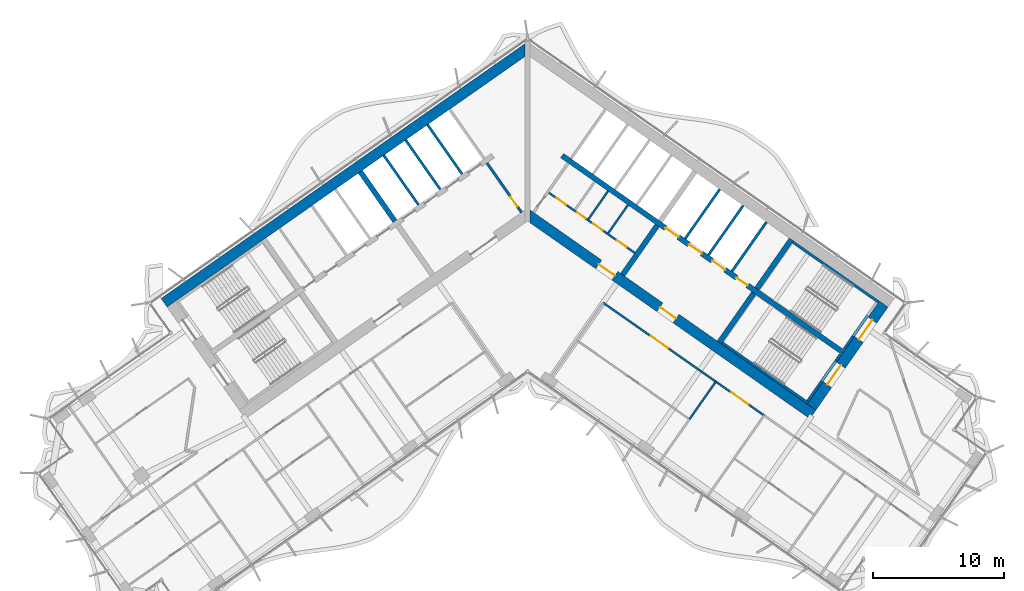
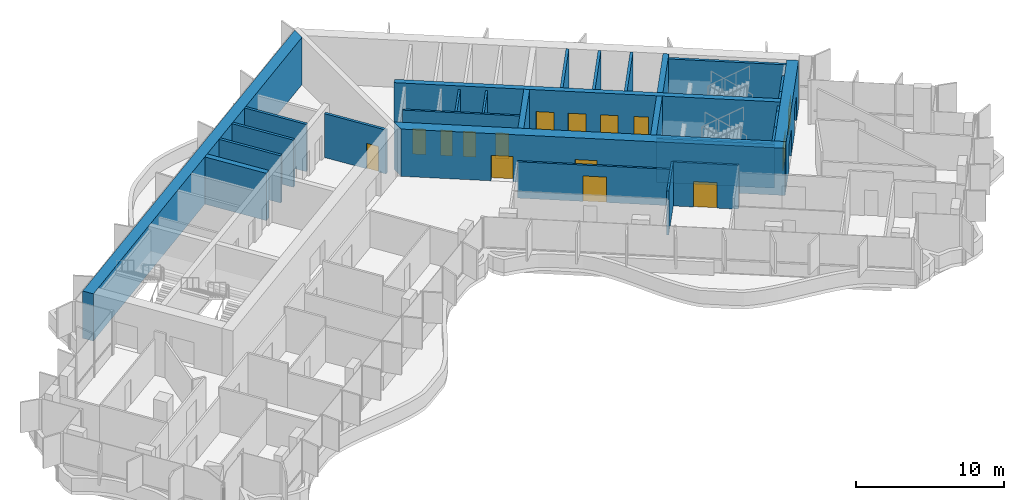
# One storey, part 16 of 23: 28 walls, 15 doors, 15 openings.
"""IFC4 building model written with IfcOpenShell, lengths in metres."""

from ifc_helpers import new_model, si_unit, direction, frame, frame_2d, origin, place, context, subcontext, project, spatial, polyline, rectangle, outline, extrude, material, layer, layer_set, type_object, element, fill, save


model = new_model("IFC4")

# Units and contexts
model_context = context("Model", 3, precision=1e-05, world=origin(), true_north=direction((0.0, 1.0)))
body_context = subcontext(model_context, "Body", "Model", "MODEL_VIEW")
ifc_project = project(units=[si_unit("LENGTHUNIT", "METRE"), si_unit("AREAUNIT", "SQUARE_METRE"), si_unit("VOLUMEUNIT", "CUBIC_METRE"), si_unit("PLANEANGLEUNIT", "RADIAN"), si_unit("MASSUNIT", "GRAM", prefix="KILO")], contexts=[model_context])

# Site, building, storey
site_placement = place(None, origin())
site = spatial("IfcSite", under=ifc_project, at=site_placement, CompositionType="ELEMENT")
building_placement = place(site_placement, origin())
building = spatial("IfcBuilding", under=site, at=building_placement, Name="Tel Ilan Convention Tower", CompositionType="ELEMENT")
storey_placement = place(building_placement, frame((0.0, 0.0, 194.39990234375)))
storey = spatial("IfcBuildingStorey", under=building, at=storey_placement, Name="L45", CompositionType="ELEMENT", Elevation=194.39990234375)

# Wall, openings, doors
ifc_material_1 = material(Name="Gypsum Plasterboard on Steel Stud", Category="steel")
ifc_layer_1 = layer(ifc_material_1, 0.14990234375)
ifc_layer_set_1 = layer_set([ifc_layer_1], Name="Core Room Partition Wall 150 mm EI 60")
wall_type_1 = type_object("IfcWallType", Name="Core Room Partition Wall 150 mm EI 60", PredefinedType="PARTITIONING", material=ifc_layer_set_1)
wall_1_placement = place(storey_placement, frame((1.63037109375, 0.93359375, 0.0), z_axis=(0.0, 0.0, 1.0), x_axis=(0.819165963305, -0.573556557423, 0.0)))
wall_1 = element("IfcWall", 1, at=wall_1_placement, inside=storey, type_object=wall_type_1, Name="L45 core wall wc-h1", PredefinedType="PARTITIONING", context=body_context, shape_type="SweptSolid", body=[
    extrude(rectangle(XDim=7.999755859375, YDim=0.14990234375, at=frame_2d((4.0, 0.0))), origin(), (0.0, 0.0, 1.0), 3.6201171875),
])
opening_1_placement = place(wall_1_placement, frame((0.699951171875, 0.0, 0.0)))
opening_1 = element("IfcOpeningElement", 2, at=opening_1_placement, cuts=wall_1, Name="Opening CD3512", PredefinedType="OPENING", context=body_context, shape_type="SweptSolid", body=[
    extrude(rectangle(XDim=0.89990234375, YDim=2.10009765625, at=frame_2d((0.449951171875, 1.050048828125))), frame((0.0, 0.0849609375, 0.0), z_axis=(0.0, -1.0, 0.0), x_axis=(1.0, 0.0, 0.0)), (0.0, 0.0, 1.0), 0.169921875),
])
opening_2_placement = place(wall_1_placement, frame((2.60009765625, 0.0, 0.0)))
opening_2 = element("IfcOpeningElement", 3, at=opening_2_placement, cuts=wall_1, Name="Opening CD3511", PredefinedType="OPENING", context=body_context, shape_type="SweptSolid", body=[
    extrude(rectangle(XDim=0.800048828125, YDim=2.10009765625, at=frame_2d((0.39990234375, 1.050048828125))), frame((0.0, 0.0849609375, 0.0), z_axis=(0.0, -1.0, 0.0), x_axis=(1.0, 0.0, 0.0)), (0.0, 0.0, 1.0), 0.169921875),
])
opening_3_placement = place(wall_1_placement, frame((4.10009765625, 0.0, 0.0)))
opening_3 = element("IfcOpeningElement", 4, at=opening_3_placement, cuts=wall_1, Name="Opening CD3510", PredefinedType="OPENING", context=body_context, shape_type="SweptSolid", body=[
    extrude(rectangle(XDim=0.89990234375, YDim=2.10009765625, at=frame_2d((0.449951171875, 1.050048828125))), frame((0.0, 0.0849609375, 0.0), z_axis=(0.0, -1.0, 0.0), x_axis=(1.0, 0.0, 0.0)), (0.0, 0.0, 1.0), 0.169921875),
])
opening_4_placement = place(wall_1_placement, frame((6.324951171875, 0.0, 0.0)))
opening_4 = element("IfcOpeningElement", 5, at=opening_4_placement, cuts=wall_1, Name="Opening CD3513", PredefinedType="OPENING", context=body_context, shape_type="SweptSolid", body=[
    extrude(rectangle(XDim=0.89990234375, YDim=2.10009765625, at=frame_2d((0.449951171875, 1.050048828125))), frame((0.0, 0.0849609375, 0.0), z_axis=(0.0, -1.0, 0.0), x_axis=(1.0, 0.0, 0.0)), (0.0, 0.0, 1.0), 0.169921875),
])
ifc_material_2 = material(Name="Galvanised Steel Door Leaf", Category="steel")
door_type_1 = type_object("IfcDoorType", Name="Store Door 800 x 2100 FD60", OperationType="NOTDEFINED", PredefinedType="DOOR", material=ifc_material_2)
door_1_placement = place(opening_2_placement, origin())
door_1 = element("IfcDoor", 6, at=door_1_placement, inside=storey, type_object=door_type_1, Name="Cleaner's store door", OperationType="SINGLE_SWING_RIGHT", OverallHeight=2.10009765625, OverallWidth=0.800048828125, PredefinedType="DOOR", context=body_context, shape_type="SweptSolid", body=[
    extrude(rectangle(XDim=0.800048828125, YDim=2.10009765625, at=frame_2d((0.39990234375, 1.050048828125))), frame((0.0, 0.02490234375, 0.0), z_axis=(0.0, -1.0, 0.0), x_axis=(1.0, 0.0, 0.0)), (0.0, 0.0, 1.0), 0.050048828125),
])
fill(opening_2, door_1)
ifc_material_3 = material(Name="Laminated Timber Door Leaf", Category="wood")
door_type_2 = type_object("IfcDoorType", Name="Toilet Door 900 x 2100 FD30S", OperationType="NOTDEFINED", PredefinedType="DOOR", material=ifc_material_3)
door_2_placement = place(opening_1_placement, origin())
door_2 = element("IfcDoor", 7, at=door_2_placement, inside=storey, type_object=door_type_2, Name="Men's WC door", OperationType="SINGLE_SWING_RIGHT", OverallHeight=2.10009765625, OverallWidth=0.89990234375, PredefinedType="DOOR", context=body_context, shape_type="SweptSolid", body=[
    extrude(rectangle(XDim=0.89990234375, YDim=2.10009765625, at=frame_2d((0.449951171875, 1.050048828125))), frame((0.0, 0.02490234375, 0.0), z_axis=(0.0, -1.0, 0.0), x_axis=(1.0, 0.0, 0.0)), (0.0, 0.0, 1.0), 0.050048828125),
])
fill(opening_1, door_2)
door_3_placement = place(opening_3_placement, origin())
door_3 = element("IfcDoor", 8, at=door_3_placement, inside=storey, type_object=door_type_2, Name="Accessible WC door", OperationType="SINGLE_SWING_RIGHT", OverallHeight=2.10009765625, OverallWidth=0.89990234375, PredefinedType="DOOR", context=body_context, shape_type="SweptSolid", body=[
    extrude(rectangle(XDim=0.89990234375, YDim=2.10009765625, at=frame_2d((0.449951171875, 1.050048828125))), frame((0.0, 0.02490234375, 0.0), z_axis=(0.0, -1.0, 0.0), x_axis=(1.0, 0.0, 0.0)), (0.0, 0.0, 1.0), 0.050048828125),
])
fill(opening_3, door_3)
door_4_placement = place(opening_4_placement, origin())
door_4 = element("IfcDoor", 9, at=door_4_placement, inside=storey, type_object=door_type_2, Name="Women's WC door", OperationType="SINGLE_SWING_RIGHT", OverallHeight=2.10009765625, OverallWidth=0.89990234375, PredefinedType="DOOR", context=body_context, shape_type="SweptSolid", body=[
    extrude(rectangle(XDim=0.89990234375, YDim=2.10009765625, at=frame_2d((0.449951171875, 1.050048828125))), frame((0.0, 0.02490234375, 0.0), z_axis=(0.0, -1.0, 0.0), x_axis=(1.0, 0.0, 0.0)), (0.0, 0.0, 1.0), 0.050048828125),
])
fill(opening_4, door_4)

# Walls
for number, where, z_axis, x_axis, name in (
    (10, (4.642822265625, -1.083984375, 0.0), (0.0, 0.0, 1.0), (0.573593425114, 0.819140148367, 0.0), "L45 core wall wc-v1"),
    (11, (6.158203125, -2.145263671875, 0.0), (0.0, 0.0, 1.0), (0.573549726504, 0.819170746076, 0.0), "L45 core wall wc-v2"),
):
    element("IfcWall", number, at=place(storey_placement, frame(where, z_axis=z_axis, x_axis=x_axis)), inside=storey, type_object=wall_type_1, Name=name, PredefinedType="PARTITIONING", context=body_context, shape_type="SweptSolid", body=[
        extrude(rectangle(XDim=2.625, YDim=0.14990234375, at=frame_2d((1.3125, 0.0))), origin(), (0.0, 0.0, 1.0), 3.6201171875),
    ])

# Wall, opening, door
ifc_material_4 = material(Name="Concrete C30/37", Category="concrete")
ifc_layer_2 = layer(ifc_material_4, 0.199951171875)
ifc_layer_set_2 = layer_set([ifc_layer_2], Name="Core Service Room Wall 200 mm C30/37")
wall_type_2 = type_object("IfcWallType", Name="Core Service Room Wall 200 mm C30/37", PredefinedType="SOLIDWALL", material=ifc_layer_set_2)
wall_2_placement = place(storey_placement, frame((-0.458740234375, -0.565185546875, 0.0), z_axis=(0.0, 0.0, 1.0), x_axis=(-0.573576324356, 0.819152122709, 0.0)))
wall_2 = element("IfcWall", 12, at=wall_2_placement, inside=storey, type_object=wall_type_2, Name="L45 core wall apex-W", PredefinedType="SOLIDWALL", context=body_context, shape_type="SweptSolid", body=[
    extrude(rectangle(XDim=4.599853515625, YDim=0.199951171875, at=frame_2d((2.2998046875, 0.0))), origin(), (0.0, 0.0, 1.0), 3.6201171875),
])
opening_5_placement = place(wall_2_placement, frame((0.550048828125, 0.0, 0.0)))
opening_5 = element("IfcOpeningElement", 13, at=opening_5_placement, cuts=wall_2, Name="Opening CD3502", PredefinedType="OPENING", context=body_context, shape_type="SweptSolid", body=[
    extrude(rectangle(XDim=0.89990234375, YDim=2.10009765625, at=frame_2d((0.449951171875, 1.050048828125))), frame((0.0, 0.10986328125, 0.0), z_axis=(0.0, -1.0, 0.0), x_axis=(1.0, 0.0, 0.0)), (0.0, 0.0, 1.0), 0.219970703125),
])
ifc_material_5 = material(Name="Galvanised Steel Door Leaf", Category="steel")
door_type_3 = type_object("IfcDoorType", Name="Service Room Door 900 x 2100 FD60", OperationType="NOTDEFINED", PredefinedType="DOOR", material=ifc_material_5)
door_5_placement = place(opening_5_placement, origin())
door_5 = element("IfcDoor", 14, at=door_5_placement, inside=storey, type_object=door_type_3, Name="Riser Room door", OperationType="SINGLE_SWING_RIGHT", OverallHeight=2.10009765625, OverallWidth=0.89990234375, PredefinedType="DOOR", context=body_context, shape_type="SweptSolid", body=[
    extrude(rectangle(XDim=0.89990234375, YDim=2.10009765625, at=frame_2d((0.449951171875, 1.050048828125))), frame((0.0, 0.02490234375, 0.0), z_axis=(0.0, -1.0, 0.0), x_axis=(1.0, 0.0, 0.0)), (0.0, 0.0, 1.0), 0.050048828125),
])
fill(opening_5, door_5)

# Walls
ifc_material_6 = material(Name="Concrete C50/60", Category="concrete")
ifc_layer_3 = layer(ifc_material_6, 0.39990234375)
ifc_layer_set_3 = layer_set([ifc_layer_3], Name="Core Shear Wall 400 mm C50/60")
wall_type_3 = type_object("IfcWallType", Name="Core Shear Wall 400 mm C50/60", PredefinedType="SHEAR", material=ifc_layer_set_3)
wall_3_placement = place(storey_placement, frame((-10.12548828125, -1.230224609375, 0.0), z_axis=(0.0, 0.0, 1.0), x_axis=(-0.573576324356, 0.819152122709, 0.0)))
element("IfcWall", 15, at=wall_3_placement, inside=storey, type_object=wall_type_3, Name="L45 core wall W-cross1-2", PredefinedType="SHEAR", context=body_context, shape_type="SweptSolid", body=[
    extrude(outline(polyline([(4.60009765625, -0.199951171875), (4.599853515625, 0.199951171875), (0.0, 0.2001953125), (0.0, -0.199951171875), (4.60009765625, -0.199951171875)])), origin(), (0.0, 0.0, 1.0), 3.900146484375),
])
wall_4_placement = place(storey_placement, frame((7.2578125, -5.325927734375, 0.0), z_axis=(0.0, 0.0, 1.0), x_axis=(0.573540709186, 0.819177059558, 0.0)))
element("IfcWall", 16, at=wall_4_placement, inside=storey, type_object=wall_type_3, Name="L45 core wall E-cross1-1", PredefinedType="SHEAR", context=body_context, shape_type="SweptSolid", body=[
    extrude(outline(polyline([(-0.000244140625, 0.2001953125), (-0.000244140625, -0.199951171875), (4.599853515625, -0.2001953125), (4.599853515625, 0.199951171875), (-0.000244140625, 0.2001953125)])), origin(), (0.0, 0.0, 1.0), 3.900146484375),
])
wall_5_placement = place(storey_placement, frame((14.6298828125, -10.48828125, 0.0), z_axis=(0.0, 0.0, 1.0), x_axis=(0.573611936273, 0.819127185829, 0.0)))
element("IfcWall", 17, at=wall_5_placement, inside=storey, type_object=wall_type_3, Name="L45 core wall E-cross2-1", PredefinedType="SHEAR", context=body_context, shape_type="SweptSolid", body=[
    extrude(outline(polyline([(0.000244140625, 0.199951171875), (0.000244140625, -0.2001953125), (4.60009765625, -0.199951171875), (4.60009765625, 0.2001953125), (0.000244140625, 0.199951171875)])), origin(), (0.0, 0.0, 1.0), 3.900146484375),
])
wall_6_placement = place(storey_placement, frame((17.497802734375, -6.392333984375, 0.0), z_axis=(0.0, 0.0, 1.0), x_axis=(0.573611936273, 0.819127185829, 0.0)))
element("IfcWall", 18, at=wall_6_placement, inside=storey, type_object=wall_type_3, Name="L45 core wall E-cross2-2", PredefinedType="SHEAR", context=body_context, shape_type="SweptSolid", body=[
    extrude(outline(polyline([(4.599853515625, -0.199951171875), (4.599853515625, 0.2001953125), (0.0, 0.199951171875), (0.0, -0.2001953125), (4.599853515625, -0.199951171875)])), origin(), (0.0, 0.0, 1.0), 3.900146484375),
])

# Wall, openings, doors
wall_7_placement = place(storey_placement, frame((2.638427734375, 3.76806640625, 0.0), z_axis=(0.0, 0.0, 1.0), x_axis=(0.81915267502, -0.573575535572, 0.0)))
wall_7 = element("IfcWall", 19, at=wall_7_placement, inside=storey, type_object=wall_type_3, Name="L45 core wall E-spine", PredefinedType="SHEAR", context=body_context, shape_type="SweptSolid", body=[
    extrude(outline(polyline([(0.0, 0.199951171875), (0.0, -0.199951171875), (26.199951171875, -0.199951171875), (26.199951171875, 0.199951171875), (0.0, 0.199951171875)])), origin(), (0.0, 0.0, 1.0), 3.900146484375),
])
opening_6_placement = place(wall_7_placement, frame((9.637451171875, 0.0, 0.0)))
opening_6 = element("IfcOpeningElement", 20, at=opening_6_placement, cuts=wall_7, Name="Opening LD3501", PredefinedType="OPENING", context=body_context, shape_type="SweptSolid", body=[
    extrude(rectangle(XDim=1.199951171875, YDim=2.10009765625, at=frame_2d((0.60009765625, 1.050048828125))), frame((0.0, 0.2099609375, 0.0), z_axis=(0.0, -1.0, 0.0), x_axis=(1.0, 0.0, 0.0)), (0.0, 0.0, 1.0), 0.419921875),
])
opening_7_placement = place(wall_7_placement, frame((11.8125, 0.0, 0.0)))
opening_7 = element("IfcOpeningElement", 21, at=opening_7_placement, cuts=wall_7, Name="Opening LD3502", PredefinedType="OPENING", context=body_context, shape_type="SweptSolid", body=[
    extrude(rectangle(XDim=1.199951171875, YDim=2.10009765625, at=frame_2d((0.60009765625, 1.050048828125))), frame((0.0, 0.2099609375, 0.0), z_axis=(0.0, -1.0, 0.0), x_axis=(1.0, 0.0, 0.0)), (0.0, 0.0, 1.0), 0.419921875),
])
opening_8_placement = place(wall_7_placement, frame((13.987548828125, 0.0, 0.0)))
opening_8 = element("IfcOpeningElement", 22, at=opening_8_placement, cuts=wall_7, Name="Opening LD3503", PredefinedType="OPENING", context=body_context, shape_type="SweptSolid", body=[
    extrude(rectangle(XDim=1.199951171875, YDim=2.10009765625, at=frame_2d((0.60009765625, 1.050048828125))), frame((0.0, 0.2099609375, 0.0), z_axis=(0.0, -1.0, 0.0), x_axis=(1.0, 0.0, 0.0)), (0.0, 0.0, 1.0), 0.419921875),
])
opening_9_placement = place(wall_7_placement, frame((16.262451171875, 0.0, 0.0)))
opening_9 = element("IfcOpeningElement", 23, at=opening_9_placement, cuts=wall_7, Name="Opening CD3507", PredefinedType="OPENING", context=body_context, shape_type="SweptSolid", body=[
    extrude(rectangle(XDim=1.0, YDim=2.10009765625, at=frame_2d((0.5, 1.050048828125))), frame((0.0, 0.2099609375, 0.0), z_axis=(0.0, -1.0, 0.0), x_axis=(1.0, 0.0, 0.0)), (0.0, 0.0, 1.0), 0.419921875),
])
ifc_material_7 = material(Name="Stainless Steel Sliding Door Leaf", Category="steel")
door_type_4 = type_object("IfcDoorType", Name="Lift Landing Door 1200 x 2100 FD120", OperationType="NOTDEFINED", PredefinedType="DOOR", material=ifc_material_7)
door_6_placement = place(opening_6_placement, origin())
door_6 = element("IfcDoor", 24, at=door_6_placement, inside=storey, type_object=door_type_4, Name="Lift FL1 landing door", OperationType="SLIDING_TO_LEFT", OverallHeight=2.10009765625, OverallWidth=1.199951171875, PredefinedType="DOOR", context=body_context, shape_type="SweptSolid", body=[
    extrude(rectangle(XDim=1.199951171875, YDim=2.10009765625, at=frame_2d((0.60009765625, 1.050048828125))), frame((0.0, 0.02490234375, 0.0), z_axis=(0.0, -1.0, 0.0), x_axis=(1.0, 0.0, 0.0)), (0.0, 0.0, 1.0), 0.050048828125),
])
fill(opening_6, door_6)
door_7_placement = place(opening_7_placement, origin())
door_7 = element("IfcDoor", 25, at=door_7_placement, inside=storey, type_object=door_type_4, Name="Lift FL2 landing door", OperationType="SLIDING_TO_RIGHT", OverallHeight=2.10009765625, OverallWidth=1.199951171875, PredefinedType="DOOR", context=body_context, shape_type="SweptSolid", body=[
    extrude(rectangle(XDim=1.199951171875, YDim=2.10009765625, at=frame_2d((0.60009765625, 1.050048828125))), frame((0.0, 0.02490234375, 0.0), z_axis=(0.0, -1.0, 0.0), x_axis=(1.0, 0.0, 0.0)), (0.0, 0.0, 1.0), 0.050048828125),
])
fill(opening_7, door_7)
door_8_placement = place(opening_8_placement, origin())
door_8 = element("IfcDoor", 26, at=door_8_placement, inside=storey, type_object=door_type_4, Name="Lift FL3 landing door", OperationType="SLIDING_TO_LEFT", OverallHeight=2.10009765625, OverallWidth=1.199951171875, PredefinedType="DOOR", context=body_context, shape_type="SweptSolid", body=[
    extrude(rectangle(XDim=1.199951171875, YDim=2.10009765625, at=frame_2d((0.60009765625, 1.050048828125))), frame((0.0, 0.02490234375, 0.0), z_axis=(0.0, -1.0, 0.0), x_axis=(1.0, 0.0, 0.0)), (0.0, 0.0, 1.0), 0.050048828125),
])
fill(opening_8, door_8)
ifc_material_8 = material(Name="Galvanised Steel Door Leaf", Category="steel")
door_type_5 = type_object("IfcDoorType", Name="Service Room Door 1000 x 2100 FD60", OperationType="NOTDEFINED", PredefinedType="DOOR", material=ifc_material_8)
door_9_placement = place(opening_9_placement, origin())
door_9 = element("IfcDoor", 27, at=door_9_placement, inside=storey, type_object=door_type_5, Name="Plant Room door", OperationType="SINGLE_SWING_RIGHT", OverallHeight=2.10009765625, OverallWidth=1.0, PredefinedType="DOOR", context=body_context, shape_type="SweptSolid", body=[
    extrude(rectangle(XDim=1.0, YDim=2.10009765625, at=frame_2d((0.5, 1.050048828125))), frame((0.0, 0.02490234375, 0.0), z_axis=(0.0, -1.0, 0.0), x_axis=(1.0, 0.0, 0.0)), (0.0, 0.0, 1.0), 0.050048828125),
])
fill(opening_9, door_9)

# Wall
ifc_material_9 = material(Name="Concrete C50/60", Category="concrete")
ifc_layer_4 = layer(ifc_material_9, 0.800048828125)
ifc_layer_set_4 = layer_set([ifc_layer_4], Name="Core Shear Wall 800 mm C50/60")
wall_type_4 = type_object("IfcWallType", Name="Core Shear Wall 800 mm C50/60", PredefinedType="SHEAR", material=ifc_layer_set_4)
wall_8_placement = place(storey_placement, frame((0.029296875, 11.984130859375, 0.0), z_axis=(0.0, 0.0, 1.0), x_axis=(-0.819151382952, -0.573577380837, 0.0)))
element("IfcWall", 28, at=wall_8_placement, inside=storey, type_object=wall_type_4, Name="L45 core wall W-back", PredefinedType="SHEAR", context=body_context, shape_type="SweptSolid", body=[
    extrude(outline(polyline([(33.897705078125, 0.39990234375), (0.56005859375, 0.400146484375), (-0.000244140625, -0.39990234375), (33.897705078125, -0.400146484375), (33.897705078125, 0.39990234375)])), origin(), (0.0, 0.0, 1.0), 3.900146484375),
])

# Wall, openings, doors
wall_9_placement = place(storey_placement, frame((-0.029296875, -0.7119140625, 0.0), z_axis=(0.0, 0.0, 1.0), x_axis=(0.819151758019, -0.573576845187, 0.0)))
wall_9 = element("IfcWall", 29, at=wall_9_placement, inside=storey, type_object=wall_type_4, Name="L45 core wall E-front", PredefinedType="SHEAR", context=body_context, shape_type="SweptSolid", body=[
    extrude(outline(polyline([(26.61572265625, 0.39990234375), (-0.000244140625, 0.39990234375), (0.56005859375, -0.39990234375), (26.61572265625, -0.39990234375), (26.61572265625, 0.39990234375)])), origin(), (0.0, 0.0, 1.0), 3.900146484375),
])
opening_10_placement = place(wall_9_placement, frame((6.665771484375, 0.0, 0.0)))
opening_10 = element("IfcOpeningElement", 30, at=opening_10_placement, cuts=wall_9, Name="Opening CD3503", PredefinedType="OPENING", context=body_context, shape_type="SweptSolid", body=[
    extrude(rectangle(XDim=1.5, YDim=2.10009765625, at=frame_2d((0.75, 1.050048828125))), frame((0.0, 0.409912109375, 0.0), z_axis=(0.0, -1.0, 0.0), x_axis=(1.0, 0.0, 0.0)), (0.0, 0.0, 1.0), 0.820068359375),
])
opening_11_placement = place(wall_9_placement, frame((12.36572265625, 0.0, 0.0)))
opening_11 = element("IfcOpeningElement", 31, at=opening_11_placement, cuts=wall_9, Name="Opening CD3504", PredefinedType="OPENING", context=body_context, shape_type="SweptSolid", body=[
    extrude(rectangle(XDim=1.5, YDim=2.10009765625, at=frame_2d((0.75, 1.050048828125))), frame((0.0, 0.409912109375, 0.0), z_axis=(0.0, -1.0, 0.0), x_axis=(1.0, 0.0, 0.0)), (0.0, 0.0, 1.0), 0.820068359375),
])
ifc_material_10 = material(Name="Glazed Aluminium Door Leaf", Category="aluminium")
door_type_6 = type_object("IfcDoorType", Name="Lobby Opening Door 1500 x 2100 FD60S", OperationType="NOTDEFINED", PredefinedType="DOOR", material=ifc_material_10)
door_10_placement = place(opening_11_placement, origin())
door_10 = element("IfcDoor", 32, at=door_10_placement, inside=storey, type_object=door_type_6, Name="Firefighting Lobby door", OperationType="DOUBLE_DOOR_SINGLE_SWING", OverallHeight=2.10009765625, OverallWidth=1.5, PredefinedType="DOOR", context=body_context, shape_type="SweptSolid", body=[
    extrude(rectangle(XDim=1.5, YDim=2.10009765625, at=frame_2d((0.75, 1.050048828125))), frame((0.0, 0.02490234375, 0.0), z_axis=(0.0, -1.0, 0.0), x_axis=(1.0, 0.0, 0.0)), (0.0, 0.0, 1.0), 0.050048828125),
])
fill(opening_11, door_10)
ifc_material_11 = material(Name="Laminated Timber Door Leaf", Category="wood")
door_type_7 = type_object("IfcDoorType", Name="Toilet Door 1500 x 2100 FD30S", OperationType="NOTDEFINED", PredefinedType="DOOR", material=ifc_material_11)
door_11_placement = place(opening_10_placement, origin())
door_11 = element("IfcDoor", 33, at=door_11_placement, inside=storey, type_object=door_type_7, Name="WC Lobby door", OperationType="SINGLE_SWING_RIGHT", OverallHeight=2.10009765625, OverallWidth=1.5, PredefinedType="DOOR", context=body_context, shape_type="SweptSolid", body=[
    extrude(rectangle(XDim=1.5, YDim=2.10009765625, at=frame_2d((0.75, 1.050048828125))), frame((0.0, 0.02490234375, 0.0), z_axis=(0.0, -1.0, 0.0), x_axis=(1.0, 0.0, 0.0)), (0.0, 0.0, 1.0), 0.050048828125),
])
fill(opening_10, door_11)

wall_10_placement = place(storey_placement, frame((21.6748046875, -15.4208984375, 0.0), z_axis=(0.0, 0.0, 1.0), x_axis=(0.573581815061, 0.819148278049, 0.0)))
wall_10 = element("IfcWall", 34, at=wall_10_placement, inside=storey, type_object=wall_type_4, Name="L45 core wall E-end", PredefinedType="SHEAR", context=body_context, shape_type="SweptSolid", body=[
    extrude(outline(polyline([(9.599853515625, 0.400146484375), (0.0, 0.39990234375), (0.0, -0.39990234375), (9.599853515625, -0.39990234375), (9.599853515625, 0.400146484375)])), origin(), (0.0, 0.0, 1.0), 3.900146484375),
])
opening_12_placement = place(wall_10_placement, frame((6.300048828125, 0.0, 0.0)))
opening_12 = element("IfcOpeningElement", 35, at=opening_12_placement, cuts=wall_10, Name="Opening SD3503", PredefinedType="OPENING", context=body_context, shape_type="SweptSolid", body=[
    extrude(rectangle(XDim=1.800048828125, YDim=2.10009765625, at=frame_2d((0.89990234375, 1.050048828125))), frame((0.0, 0.409912109375, 0.0), z_axis=(0.0, -1.0, 0.0), x_axis=(1.0, 0.0, 0.0)), (0.0, 0.0, 1.0), 0.820068359375),
])
opening_13_placement = place(wall_10_placement, frame((2.10009765625, 0.0, 0.0)))
opening_13 = element("IfcOpeningElement", 36, at=opening_13_placement, cuts=wall_10, Name="Opening SD3504", PredefinedType="OPENING", context=body_context, shape_type="SweptSolid", body=[
    extrude(rectangle(XDim=1.800048828125, YDim=2.10009765625, at=frame_2d((0.89990234375, 1.050048828125))), frame((0.0, 0.409912109375, 0.0), z_axis=(0.0, -1.0, 0.0), x_axis=(1.0, 0.0, 0.0)), (0.0, 0.0, 1.0), 0.820068359375),
])
ifc_material_12 = material(Name="Galvanised Steel Door Leaf", Category="steel")
door_type_8 = type_object("IfcDoorType", Name="Stair Fire Door 1800 x 2100 FD60S", OperationType="NOTDEFINED", PredefinedType="DOOR", material=ifc_material_12)
door_12_placement = place(opening_12_placement, origin())
door_12 = element("IfcDoor", 37, at=door_12_placement, inside=storey, type_object=door_type_8, Name="Stair S3 door", OperationType="DOUBLE_DOOR_SINGLE_SWING", OverallHeight=2.10009765625, OverallWidth=1.800048828125, PredefinedType="DOOR", context=body_context, shape_type="SweptSolid", body=[
    extrude(rectangle(XDim=1.800048828125, YDim=2.10009765625, at=frame_2d((0.89990234375, 1.050048828125))), frame((0.0, 0.02490234375, 0.0), z_axis=(0.0, -1.0, 0.0), x_axis=(1.0, 0.0, 0.0)), (0.0, 0.0, 1.0), 0.050048828125),
])
fill(opening_12, door_12)
door_13_placement = place(opening_13_placement, origin())
door_13 = element("IfcDoor", 38, at=door_13_placement, inside=storey, type_object=door_type_8, Name="Stair S4 door", OperationType="DOUBLE_DOOR_SINGLE_SWING", OverallHeight=2.10009765625, OverallWidth=1.800048828125, PredefinedType="DOOR", context=body_context, shape_type="SweptSolid", body=[
    extrude(rectangle(XDim=1.800048828125, YDim=2.10009765625, at=frame_2d((0.89990234375, 1.050048828125))), frame((0.0, 0.02490234375, 0.0), z_axis=(0.0, -1.0, 0.0), x_axis=(1.0, 0.0, 0.0)), (0.0, 0.0, 1.0), 0.050048828125),
])
fill(opening_13, door_13)

# Wall, opening, door
ifc_material_13 = material(Name="Plasterboard on Steel Studs", Category="steel")
ifc_layer_5 = layer(ifc_material_13, 0.14990234375)
ifc_layer_set_5 = layer_set([ifc_layer_5], Name="Fire-rated Partition 150 EI 60")
wall_type_5 = type_object("IfcWallType", Name="Fire-rated Partition 150 EI 60", PredefinedType="PARTITIONING", material=ifc_layer_set_5)
wall_11_placement = place(storey_placement, frame((14.369140625, -13.4794921875, 0.0), z_axis=(0.0, 0.0, 1.0), x_axis=(-0.819154371039, 0.573573113393, 0.0)))
wall_11 = element("IfcWall", 39, at=wall_11_placement, inside=storey, type_object=wall_type_5, Name="Partition 002", PredefinedType="PARTITIONING", context=body_context, shape_type="SweptSolid", body=[
    extrude(rectangle(XDim=10.501953125, YDim=0.14990234375, at=frame_2d((5.2509765625, 0.0))), origin(), (0.0, 0.0, 1.0), 3.0),
])
opening_14_placement = place(wall_11_placement, frame((4.450927734375, 0.0, 0.0)))
opening_14 = element("IfcOpeningElement", 40, at=opening_14_placement, cuts=wall_11, Name="Opening L45-013", PredefinedType="OPENING", context=body_context, shape_type="SweptSolid", body=[
    extrude(rectangle(XDim=1.60009765625, YDim=2.10009765625, at=frame_2d((0.800048828125, 1.050048828125))), frame((0.0, 0.0849609375, 0.0), z_axis=(0.0, -1.0, 0.0), x_axis=(1.0, 0.0, 0.0)), (0.0, 0.0, 1.0), 0.169921875),
])
ifc_material_14 = material(Name="Timber Door Leaf in Steel Frame", Category="steel")
door_type_9 = type_object("IfcDoorType", Name="Tenant Suite Entrance Fire Door 1600x2100", OperationType="NOTDEFINED", PredefinedType="DOOR", material=ifc_material_14)
door_14_placement = place(opening_14_placement, origin())
door_14 = element("IfcDoor", 41, at=door_14_placement, inside=storey, type_object=door_type_9, Name="Door L45-013", OperationType="DOUBLE_DOOR_SINGLE_SWING", OverallHeight=2.10009765625, OverallWidth=1.60009765625, PredefinedType="DOOR", context=body_context, shape_type="SweptSolid", body=[
    extrude(rectangle(XDim=1.60009765625, YDim=2.10009765625, at=frame_2d((0.800048828125, 1.050048828125))), frame((0.0, 0.02490234375, 0.0), z_axis=(0.0, -1.0, 0.0), x_axis=(1.0, 0.0, 0.0)), (0.0, 0.0, 1.0), 0.050048828125),
])
fill(opening_14, door_14)

wall_12_placement = place(storey_placement, frame((18.055419921875, -16.060546875, 0.0), z_axis=(0.0, 0.0, 1.0), x_axis=(-0.819183534257, 0.573531461389, 0.0)))
wall_12 = element("IfcWall", 42, at=wall_12_placement, inside=storey, type_object=wall_type_5, Name="Partition 003", PredefinedType="PARTITIONING", context=body_context, shape_type="SweptSolid", body=[
    extrude(rectangle(XDim=4.504150390625, YDim=0.14990234375, at=frame_2d((2.251953125, 0.0))), origin(), (0.0, 0.0, 1.0), 3.6201171875),
])
opening_15_placement = place(wall_12_placement, frame((1.451904296875, 0.0, 0.0)))
opening_15 = element("IfcOpeningElement", 43, at=opening_15_placement, cuts=wall_12, Name="Opening L45-015", PredefinedType="OPENING", context=body_context, shape_type="SweptSolid", body=[
    extrude(rectangle(XDim=1.60009765625, YDim=2.10009765625, at=frame_2d((0.800048828125, 1.050048828125))), frame((0.0, 0.0849609375, 0.0), z_axis=(0.0, -1.0, 0.0), x_axis=(1.0, 0.0, 0.0)), (0.0, 0.0, 1.0), 0.169921875),
])
door_15_placement = place(opening_15_placement, origin())
door_15 = element("IfcDoor", 44, at=door_15_placement, inside=storey, type_object=door_type_9, Name="Door L45-015", OperationType="DOUBLE_DOOR_SINGLE_SWING", OverallHeight=2.10009765625, OverallWidth=1.60009765625, PredefinedType="DOOR", context=body_context, shape_type="SweptSolid", body=[
    extrude(rectangle(XDim=1.60009765625, YDim=2.10009765625, at=frame_2d((0.800048828125, 1.050048828125))), frame((0.0, 0.02490234375, 0.0), z_axis=(0.0, -1.0, 0.0), x_axis=(1.0, 0.0, 0.0)), (0.0, 0.0, 1.0), 0.050048828125),
])
fill(opening_15, door_15)

# Walls
wall_13_placement = place(storey_placement, frame((14.367431640625, -13.478515625, 0.0), z_axis=(0.0, 0.0, 1.0), x_axis=(-0.573598101901, -0.81913687348, 0.0)))
element("IfcWall", 45, at=wall_13_placement, inside=storey, type_object=wall_type_5, Name="Partition 023", PredefinedType="PARTITIONING", context=body_context, shape_type="SweptSolid", body=[
    extrude(rectangle(XDim=3.5, YDim=0.14990234375, at=frame_2d((1.75, 0.0))), origin(), (0.0, 0.0, 1.0), 3.6201171875),
])
ifc_material_15 = material(Name="Concrete C30/37", Category="concrete")
ifc_layer_6 = layer(ifc_material_15, 0.199951171875)
ifc_layer_set_6 = layer_set([ifc_layer_6], Name="Lift Shaft Wall 200 mm C30/37")
wall_type_6 = type_object("IfcWallType", Name="Lift Shaft Wall 200 mm C30/37", PredefinedType="SOLIDWALL", material=ifc_layer_set_6)
for number, where, z_axis, x_axis, name in (
    (46, (-4.99560546875, 2.36181640625, 0.0), (0.0, 0.0, 1.0), (-0.573576324356, 0.819152122709, 0.0), "L45 core wall bank-W1-p0"),
    (47, (-6.66455078125, 1.193115234375, 0.0), (0.0, 0.0, 1.0), (-0.573576324356, 0.819152122709, 0.0), "L45 core wall bank-W1-p1"),
):
    element("IfcWall", number, at=place(storey_placement, frame(where, z_axis=z_axis, x_axis=x_axis)), inside=storey, type_object=wall_type_6, Name=name, PredefinedType="SOLIDWALL", context=body_context, shape_type="SweptSolid", body=[
        extrude(rectangle(XDim=4.599853515625, YDim=0.199951171875, at=frame_2d((2.2998046875, 0.0))), origin(), (0.0, 0.0, 1.0), 3.900146484375),
    ])
wall_14_placement = place(storey_placement, frame((-8.33349609375, 0.0244140625, 0.0), z_axis=(0.0, 0.0, 1.0), x_axis=(-0.573611936273, 0.819127185829, 0.0)))
element("IfcWall", 48, at=wall_14_placement, inside=storey, type_object=wall_type_6, Name="L45 core wall bank-W1-p2", PredefinedType="SOLIDWALL", context=body_context, shape_type="SweptSolid", body=[
    extrude(rectangle(XDim=4.60009765625, YDim=0.199951171875, at=frame_2d((2.300048828125, 0.0))), origin(), (0.0, 0.0, 1.0), 3.900146484375),
])
for number, where, z_axis, x_axis, name in (
    (49, (12.030029296875, -2.563720703125, 0.0), (0.0, 0.0, 1.0), (0.573576324356, 0.819152122709, 0.0), "L45 core wall bank-E2-p0"),
    (50, (13.811767578125, -3.811279296875, 0.0), (0.0, 0.0, 1.0), (0.573576324356, 0.819152122709, 0.0), "L45 core wall bank-E2-p1"),
    (51, (15.593505859375, -5.058837890625, 0.0), (0.0, 0.0, 1.0), (0.573540709186, 0.819177059558, 0.0), "L45 core wall bank-E2-p2"),
):
    element("IfcWall", number, at=place(storey_placement, frame(where, z_axis=z_axis, x_axis=x_axis)), inside=storey, type_object=wall_type_6, Name=name, PredefinedType="SOLIDWALL", context=body_context, shape_type="SweptSolid", body=[
        extrude(rectangle(XDim=4.599853515625, YDim=0.199951171875, at=frame_2d((2.2998046875, 0.0))), origin(), (0.0, 0.0, 1.0), 3.900146484375),
    ])
ifc_material_16 = material(Name="Concrete C30/37", Category="concrete")
ifc_layer_7 = layer(ifc_material_16, 0.199951171875)
ifc_layer_set_7 = layer_set([ifc_layer_7], Name="Stair and Shaft Lining Wall 200 mm C30/37")
wall_type_7 = type_object("IfcWallType", Name="Stair and Shaft Lining Wall 200 mm C30/37", PredefinedType="SOLIDWALL", material=ifc_layer_set_7)
wall_15_placement = place(storey_placement, frame((20.242919921875, -2.821044921875, 0.0), z_axis=(0.0, 0.0, 1.0), x_axis=(0.819141584393, -0.57359137434, 0.0)))
element("IfcWall", 52, at=wall_15_placement, inside=storey, type_object=wall_type_7, Name="L45 core wall lining-S3-t1", PredefinedType="SOLIDWALL", context=body_context, shape_type="SweptSolid", body=[
    extrude(rectangle(XDim=7.999755859375, YDim=0.199951171875, at=frame_2d((4.0, 0.0))), origin(), (0.0, 0.0, 1.0), 3.6201171875),
])
wall_16_placement = place(storey_placement, frame((24.16162109375, -10.99755859375, 0.0), z_axis=(0.0, 0.0, 1.0), x_axis=(0.573612502218, 0.819126789514, 0.0)))
element("IfcWall", 53, at=wall_16_placement, inside=storey, type_object=wall_type_7, Name="L45 core wall lining-S3-u1-0", PredefinedType="SOLIDWALL", context=body_context, shape_type="SweptSolid", body=[
    extrude(rectangle(XDim=1.2001953125, YDim=0.199951171875, at=frame_2d((0.60009765625, 0.0))), origin(), (0.0, 0.0, 1.0), 3.6201171875),
])
wall_17_placement = place(storey_placement, frame((24.85009765625, -10.014404296875, 2.150146484375), z_axis=(0.0, 0.0, 1.0), x_axis=(0.573505465124, 0.819201734296, 0.0)))
element("IfcWall", 54, at=wall_17_placement, inside=storey, type_object=wall_type_7, Name="L45 core wall lining-S3-u1-lintel", PredefinedType="SOLIDWALL", context=body_context, shape_type="SweptSolid", body=[
    extrude(rectangle(XDim=1.89990234375, YDim=0.199951171875, at=frame_2d((0.949951171875, 0.0))), origin(), (0.0, 0.0, 1.0), 1.469970703125),
])
wall_18_placement = place(storey_placement, frame((14.851318359375, -10.52099609375, 0.0), z_axis=(0.0, 0.0, 1.0), x_axis=(0.819141584393, -0.57359137434, 0.0)))
element("IfcWall", 55, at=wall_18_placement, inside=storey, type_object=wall_type_7, Name="L45 core wall lining-S4-t0", PredefinedType="SOLIDWALL", context=body_context, shape_type="SweptSolid", body=[
    extrude(rectangle(XDim=7.999755859375, YDim=0.199951171875, at=frame_2d((4.0, 0.0))), origin(), (0.0, 0.0, 1.0), 3.6201171875),
])
wall_19_placement = place(storey_placement, frame((21.3798828125, -14.97021484375, 0.0), z_axis=(0.0, 0.0, 1.0), x_axis=(0.573559770908, 0.819163713305, 0.0)))
element("IfcWall", 56, at=wall_19_placement, inside=storey, type_object=wall_type_7, Name="L45 core wall lining-S4-u1-0", PredefinedType="SOLIDWALL", context=body_context, shape_type="SweptSolid", body=[
    extrude(rectangle(XDim=1.849853515625, YDim=0.199951171875, at=frame_2d((0.9248046875, 0.0))), origin(), (0.0, 0.0, 1.0), 3.6201171875),
])
wall_20_placement = place(storey_placement, frame((23.53076171875, -11.8984375, 0.0), z_axis=(0.0, 0.0, 1.0), x_axis=(0.573708088123, 0.819059844958, 0.0)))
element("IfcWall", 57, at=wall_20_placement, inside=storey, type_object=wall_type_7, Name="L45 core wall lining-S4-u1-1", PredefinedType="SOLIDWALL", context=body_context, shape_type="SweptSolid", body=[
    extrude(rectangle(XDim=0.60009765625, YDim=0.199951171875, at=frame_2d((0.300048828125, 0.0))), origin(), (0.0, 0.0, 1.0), 3.6201171875),
])
wall_21_placement = place(storey_placement, frame((22.44091796875, -13.454833984375, 2.150146484375), z_axis=(0.0, 0.0, 1.0), x_axis=(0.573591692345, 0.819141361715, 0.0)))
element("IfcWall", 58, at=wall_21_placement, inside=storey, type_object=wall_type_7, Name="L45 core wall lining-S4-u1-lintel", PredefinedType="SOLIDWALL", context=body_context, shape_type="SweptSolid", body=[
    extrude(rectangle(XDim=1.900146484375, YDim=0.199951171875, at=frame_2d((0.9501953125, 0.0))), origin(), (0.0, 0.0, 1.0), 1.469970703125),
])

save(model, "model.ifc")
